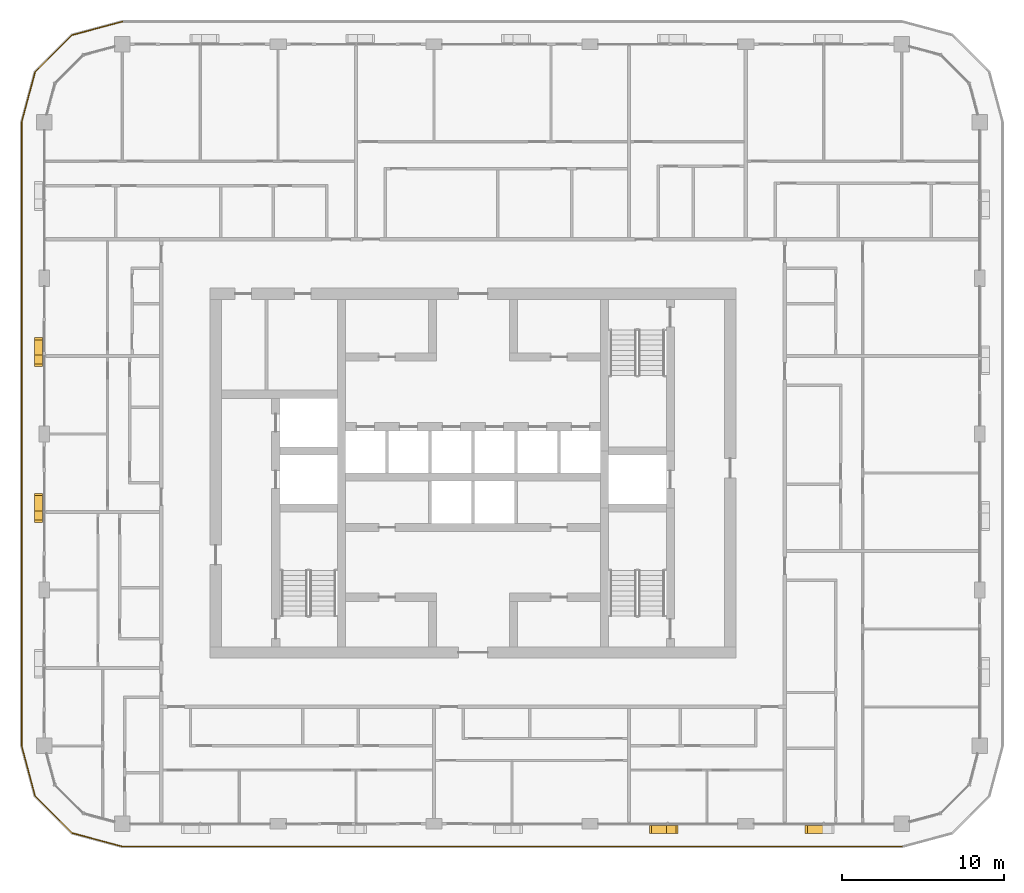
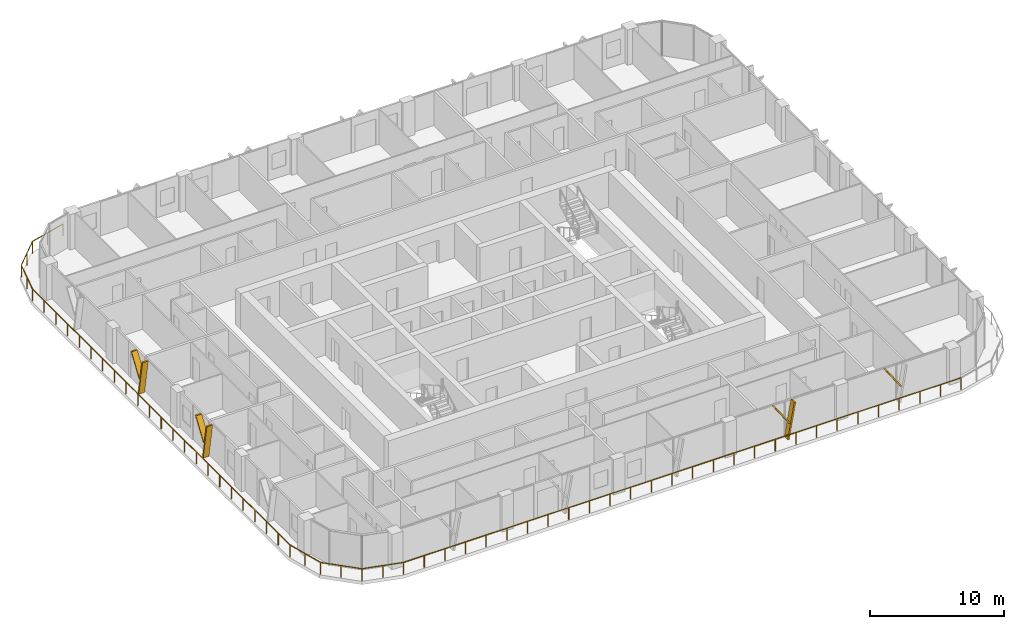
# One storey, part 18 of 22: 7 shading devices, 1 railing.
"""IFC4 building model written with IfcOpenShell, lengths in metres."""

from ifc_helpers import new_model, si_unit, direction, frame, origin, origin_2d, place, context, subcontext, project, spatial, polyline, circle, outline, extrude, material, type_object, element, save


model = new_model("IFC4")

# Units and contexts
model_context = context("Model", 3, precision=1e-05, world=origin(), true_north=direction((0.0, 1.0)))
body_context = subcontext(model_context, "Body", "Model", "MODEL_VIEW")
ifc_project = project(units=[si_unit("LENGTHUNIT", "METRE"), si_unit("AREAUNIT", "SQUARE_METRE"), si_unit("VOLUMEUNIT", "CUBIC_METRE"), si_unit("PLANEANGLEUNIT", "RADIAN"), si_unit("MASSUNIT", "GRAM", prefix="KILO")], contexts=[model_context])

# Site, building, storey
site_placement = place(None, origin())
site = spatial("IfcSite", under=ifc_project, at=site_placement, CompositionType="ELEMENT")
building_placement = place(site_placement, origin())
building = spatial("IfcBuilding", under=site, at=building_placement, Name="Madar Terraces", CompositionType="ELEMENT")
storey_placement = place(building_placement, frame((0.0, 0.0, 208.800048828125)))
storey = spatial("IfcBuildingStorey", under=building, at=storey_placement, Name="L54", CompositionType="ELEMENT", Elevation=208.800048828125)

# Railing
ifc_material_1 = material(Name="Glass, safety glazing, with stainless steel posts", Category="steel")
railing_type = type_object("IfcRailingType", Name="Balcony glass guard 1100", PredefinedType="GUARDRAIL", material=ifc_material_1)
railing_placement = place(storey_placement, frame((9.60009765625, 54.199951171875, 0.0)))
element("IfcRailing", 1, at=railing_placement, inside=storey, type_object=railing_type, Name="Balcony guard", PredefinedType="GUARDRAIL", context=body_context, shape_type="SweptSolid", body=[
    extrude(circle(Radius=0.02392578125, at=origin_2d()), frame((0.0, 0.0, 1.076171875), z_axis=(-0.9659337912, -0.258789317819, 0.0), x_axis=(0.258789317819, -0.9659337912, 0.0)), (0.0, 0.0, 1.0), 3.20947265625),
    extrude(circle(Radius=0.02392578125, at=origin_2d()), frame((-3.10009765625, -0.83056640625, 1.076171875), z_axis=(-0.707106781187, -0.707106781187, 0.0), x_axis=(0.707106781187, -0.707106781187, 0.0)), (0.0, 0.0, 1.0), 3.209228515625),
    extrude(circle(Radius=0.02392578125, at=origin_2d()), frame((-5.369384765625, -3.099853515625, 1.076171875), z_axis=(-0.258860290944, -0.965914773555, 0.0), x_axis=(0.965914773555, -0.258860290944, 0.0)), (0.0, 0.0, 1.0), 3.20947265625),
    extrude(circle(Radius=0.02392578125, at=origin_2d()), frame((-6.2001953125, -6.199951171875, 1.076171875), z_axis=(0.0, -1.0, 0.0), x_axis=(1.0, 0.0, 0.0)), (0.0, 0.0, 1.0), 38.39990234375),
    extrude(circle(Radius=0.02392578125, at=origin_2d()), frame((-6.2001953125, -44.599853515625, 1.076171875), z_axis=(0.258860290944, -0.965914773555, 0.0), x_axis=(0.965914773555, 0.258860290944, 0.0)), (0.0, 0.0, 1.0), 3.20947265625),
    extrude(circle(Radius=0.02392578125, at=origin_2d()), frame((-5.369384765625, -47.699951171875, 1.076171875), z_axis=(0.707106781187, -0.707106781187, 0.0), x_axis=(0.707106781187, 0.707106781187, 0.0)), (0.0, 0.0, 1.0), 3.209228515625),
    extrude(circle(Radius=0.02392578125, at=origin_2d()), frame((-3.10009765625, -49.96923828125, 1.076171875), z_axis=(0.965914773555, -0.258860290944, 0.0), x_axis=(0.258860290944, 0.965914773555, 0.0)), (0.0, 0.0, 1.0), 3.20947265625),
    extrude(circle(Radius=0.02392578125, at=origin_2d()), frame((0.0, -50.800048828125, 1.076171875), z_axis=(1.0, 0.0, 0.0), x_axis=(0.0, 1.0, 0.0)), (0.0, 0.0, 1.0), 48.0),
    extrude(circle(Radius=0.02099609375, at=origin_2d()), origin(), (0.0, 0.0, 1.0), 1.052001953125),
    extrude(circle(Radius=0.02099609375, at=origin_2d()), frame((-1.550048828125, -0.415283203125, 0.0)), (0.0, 0.0, 1.0), 1.052001953125),
    extrude(circle(Radius=0.02099609375, at=origin_2d()), frame((-3.10009765625, -0.83056640625, 0.0)), (0.0, 0.0, 1.0), 1.052001953125),
    extrude(circle(Radius=0.02099609375, at=origin_2d()), frame((-4.23486328125, -1.96533203125, 0.0)), (0.0, 0.0, 1.0), 1.052001953125),
    extrude(circle(Radius=0.02099609375, at=origin_2d()), frame((-5.369384765625, -3.099853515625, 0.0)), (0.0, 0.0, 1.0), 1.052001953125),
    extrude(circle(Radius=0.02099609375, at=origin_2d()), frame((-5.78466796875, -4.64990234375, 0.0)), (0.0, 0.0, 1.0), 1.052001953125),
    extrude(circle(Radius=0.02099609375, at=origin_2d()), frame((-6.2001953125, -6.199951171875, 0.0)), (0.0, 0.0, 1.0), 1.052001953125),
    extrude(circle(Radius=0.02099609375, at=origin_2d()), frame((-6.2001953125, -7.9453125, 0.0)), (0.0, 0.0, 1.0), 1.052001953125),
    extrude(circle(Radius=0.02099609375, at=origin_2d()), frame((-6.2001953125, -9.69091796875, 0.0)), (0.0, 0.0, 1.0), 1.052001953125),
    extrude(circle(Radius=0.02099609375, at=origin_2d()), frame((-6.2001953125, -11.436279296875, 0.0)), (0.0, 0.0, 1.0), 1.052001953125),
    extrude(circle(Radius=0.02099609375, at=origin_2d()), frame((-6.2001953125, -13.181640625, 0.0)), (0.0, 0.0, 1.0), 1.052001953125),
    extrude(circle(Radius=0.02099609375, at=origin_2d()), frame((-6.2001953125, -14.92724609375, 0.0)), (0.0, 0.0, 1.0), 1.052001953125),
    extrude(circle(Radius=0.02099609375, at=origin_2d()), frame((-6.2001953125, -16.672607421875, 0.0)), (0.0, 0.0, 1.0), 1.052001953125),
    extrude(circle(Radius=0.02099609375, at=origin_2d()), frame((-6.2001953125, -18.418212890625, 0.0)), (0.0, 0.0, 1.0), 1.052001953125),
    extrude(circle(Radius=0.02099609375, at=origin_2d()), frame((-6.2001953125, -20.16357421875, 0.0)), (0.0, 0.0, 1.0), 1.052001953125),
    extrude(circle(Radius=0.02099609375, at=origin_2d()), frame((-6.2001953125, -21.908935546875, 0.0)), (0.0, 0.0, 1.0), 1.052001953125),
    extrude(circle(Radius=0.02099609375, at=origin_2d()), frame((-6.2001953125, -23.654541015625, 0.0)), (0.0, 0.0, 1.0), 1.052001953125),
    extrude(circle(Radius=0.02099609375, at=origin_2d()), frame((-6.2001953125, -25.39990234375, 0.0)), (0.0, 0.0, 1.0), 1.052001953125),
    extrude(circle(Radius=0.02099609375, at=origin_2d()), frame((-6.2001953125, -27.145263671875, 0.0)), (0.0, 0.0, 1.0), 1.052001953125),
    extrude(circle(Radius=0.02099609375, at=origin_2d()), frame((-6.2001953125, -28.890869140625, 0.0)), (0.0, 0.0, 1.0), 1.052001953125),
    extrude(circle(Radius=0.02099609375, at=origin_2d()), frame((-6.2001953125, -30.63623046875, 0.0)), (0.0, 0.0, 1.0), 1.052001953125),
    extrude(circle(Radius=0.02099609375, at=origin_2d()), frame((-6.2001953125, -32.381591796875, 0.0)), (0.0, 0.0, 1.0), 1.052001953125),
    extrude(circle(Radius=0.02099609375, at=origin_2d()), frame((-6.2001953125, -34.127197265625, 0.0)), (0.0, 0.0, 1.0), 1.052001953125),
    extrude(circle(Radius=0.02099609375, at=origin_2d()), frame((-6.2001953125, -35.87255859375, 0.0)), (0.0, 0.0, 1.0), 1.052001953125),
    extrude(circle(Radius=0.02099609375, at=origin_2d()), frame((-6.2001953125, -37.6181640625, 0.0)), (0.0, 0.0, 1.0), 1.052001953125),
    extrude(circle(Radius=0.02099609375, at=origin_2d()), frame((-6.2001953125, -39.363525390625, 0.0)), (0.0, 0.0, 1.0), 1.052001953125),
    extrude(circle(Radius=0.02099609375, at=origin_2d()), frame((-6.2001953125, -41.10888671875, 0.0)), (0.0, 0.0, 1.0), 1.052001953125),
    extrude(circle(Radius=0.02099609375, at=origin_2d()), frame((-6.2001953125, -42.8544921875, 0.0)), (0.0, 0.0, 1.0), 1.052001953125),
    extrude(circle(Radius=0.02099609375, at=origin_2d()), frame((-6.2001953125, -44.599853515625, 0.0)), (0.0, 0.0, 1.0), 1.052001953125),
    extrude(circle(Radius=0.02099609375, at=origin_2d()), frame((-5.78466796875, -46.14990234375, 0.0)), (0.0, 0.0, 1.0), 1.052001953125),
    extrude(circle(Radius=0.02099609375, at=origin_2d()), frame((-5.369384765625, -47.699951171875, 0.0)), (0.0, 0.0, 1.0), 1.052001953125),
    extrude(circle(Radius=0.02099609375, at=origin_2d()), frame((-4.23486328125, -48.83447265625, 0.0)), (0.0, 0.0, 1.0), 1.052001953125),
    extrude(circle(Radius=0.02099609375, at=origin_2d()), frame((-3.10009765625, -49.96923828125, 0.0)), (0.0, 0.0, 1.0), 1.052001953125),
    extrude(circle(Radius=0.02099609375, at=origin_2d()), frame((-1.550048828125, -50.384765625, 0.0)), (0.0, 0.0, 1.0), 1.052001953125),
    extrude(circle(Radius=0.02099609375, at=origin_2d()), frame((0.0, -50.800048828125, 0.0)), (0.0, 0.0, 1.0), 1.052001953125),
    extrude(circle(Radius=0.02099609375, at=origin_2d()), frame((1.77783203125, -50.800048828125, 0.0)), (0.0, 0.0, 1.0), 1.052001953125),
    extrude(circle(Radius=0.02099609375, at=origin_2d()), frame((3.5556640625, -50.800048828125, 0.0)), (0.0, 0.0, 1.0), 1.052001953125),
    extrude(circle(Radius=0.02099609375, at=origin_2d()), frame((5.333251953125, -50.800048828125, 0.0)), (0.0, 0.0, 1.0), 1.052001953125),
    extrude(circle(Radius=0.02099609375, at=origin_2d()), frame((7.111083984375, -50.800048828125, 0.0)), (0.0, 0.0, 1.0), 1.052001953125),
    extrude(circle(Radius=0.02099609375, at=origin_2d()), frame((8.888916015625, -50.800048828125, 0.0)), (0.0, 0.0, 1.0), 1.052001953125),
    extrude(circle(Radius=0.02099609375, at=origin_2d()), frame((10.666748046875, -50.800048828125, 0.0)), (0.0, 0.0, 1.0), 1.052001953125),
    extrude(circle(Radius=0.02099609375, at=origin_2d()), frame((12.4443359375, -50.800048828125, 0.0)), (0.0, 0.0, 1.0), 1.052001953125),
    extrude(circle(Radius=0.02099609375, at=origin_2d()), frame((14.22216796875, -50.800048828125, 0.0)), (0.0, 0.0, 1.0), 1.052001953125),
    extrude(circle(Radius=0.02099609375, at=origin_2d()), frame((16.0, -50.800048828125, 0.0)), (0.0, 0.0, 1.0), 1.052001953125),
    extrude(circle(Radius=0.02099609375, at=origin_2d()), frame((17.77783203125, -50.800048828125, 0.0)), (0.0, 0.0, 1.0), 1.052001953125),
    extrude(circle(Radius=0.02099609375, at=origin_2d()), frame((19.5556640625, -50.800048828125, 0.0)), (0.0, 0.0, 1.0), 1.052001953125),
    extrude(circle(Radius=0.02099609375, at=origin_2d()), frame((21.333251953125, -50.800048828125, 0.0)), (0.0, 0.0, 1.0), 1.052001953125),
    extrude(circle(Radius=0.02099609375, at=origin_2d()), frame((23.111083984375, -50.800048828125, 0.0)), (0.0, 0.0, 1.0), 1.052001953125),
    extrude(circle(Radius=0.02099609375, at=origin_2d()), frame((24.888916015625, -50.800048828125, 0.0)), (0.0, 0.0, 1.0), 1.052001953125),
    extrude(circle(Radius=0.02099609375, at=origin_2d()), frame((26.666748046875, -50.800048828125, 0.0)), (0.0, 0.0, 1.0), 1.052001953125),
    extrude(circle(Radius=0.02099609375, at=origin_2d()), frame((28.4443359375, -50.800048828125, 0.0)), (0.0, 0.0, 1.0), 1.052001953125),
    extrude(circle(Radius=0.02099609375, at=origin_2d()), frame((30.22216796875, -50.800048828125, 0.0)), (0.0, 0.0, 1.0), 1.052001953125),
    extrude(circle(Radius=0.02099609375, at=origin_2d()), frame((32.0, -50.800048828125, 0.0)), (0.0, 0.0, 1.0), 1.052001953125),
    extrude(circle(Radius=0.02099609375, at=origin_2d()), frame((33.77783203125, -50.800048828125, 0.0)), (0.0, 0.0, 1.0), 1.052001953125),
    extrude(circle(Radius=0.02099609375, at=origin_2d()), frame((35.5556640625, -50.800048828125, 0.0)), (0.0, 0.0, 1.0), 1.052001953125),
    extrude(circle(Radius=0.02099609375, at=origin_2d()), frame((37.333251953125, -50.800048828125, 0.0)), (0.0, 0.0, 1.0), 1.052001953125),
    extrude(circle(Radius=0.02099609375, at=origin_2d()), frame((39.111083984375, -50.800048828125, 0.0)), (0.0, 0.0, 1.0), 1.052001953125),
    extrude(circle(Radius=0.02099609375, at=origin_2d()), frame((40.888916015625, -50.800048828125, 0.0)), (0.0, 0.0, 1.0), 1.052001953125),
    extrude(circle(Radius=0.02099609375, at=origin_2d()), frame((42.666748046875, -50.800048828125, 0.0)), (0.0, 0.0, 1.0), 1.052001953125),
    extrude(circle(Radius=0.02099609375, at=origin_2d()), frame((44.4443359375, -50.800048828125, 0.0)), (0.0, 0.0, 1.0), 1.052001953125),
    extrude(circle(Radius=0.02099609375, at=origin_2d()), frame((46.22216796875, -50.800048828125, 0.0)), (0.0, 0.0, 1.0), 1.052001953125),
    extrude(circle(Radius=0.02099609375, at=origin_2d()), frame((48.0, -50.800048828125, 0.0)), (0.0, 0.0, 1.0), 1.052001953125),
])

# Shading devices
ifc_material_2 = material(Name="Aluminium, black anodised", Category="aluminium")
shading_device_type = type_object("IfcShadingDeviceType", Name="Facade fin blade 140 x 500", PredefinedType="USERDEFINED", material=ifc_material_2)
shading_device_1_placement = place(storey_placement, frame((43.1298828125, 4.449951171875, 0.0), z_axis=(0.0, 0.0, 1.0), x_axis=(1.0, 0.0, 0.0)))
element("IfcShadingDevice", 2, at=shading_device_1_placement, inside=storey, type_object=shading_device_type, Name="FIN L54 S4", ObjectType="FIN", PredefinedType="USERDEFINED", context=body_context, shape_type="SweptSolid", body=[
    extrude(outline(polyline([(0.0, 0.0), (0.14013671875, 0.0), (0.704345703125, 3.199951171875), (0.564208984375, 3.199951171875), (0.0, 0.0)])), frame((0.0, 0.25, 0.0), z_axis=(0.0, -1.0, 0.0), x_axis=(1.0, 0.0, 0.0)), (0.0, 0.0, 1.0), 0.5),
])
for number, where, z_axis, x_axis, name in (
    (3, (43.243896484375, 4.449951171875, 1.43994140625), (0.0, 0.0, 1.0), (1.0, 0.0, 0.0), "FIN L54 S4 branch"),
    (4, (52.843994140625, 4.449951171875, 1.43994140625), (0.0, 0.0, 1.0), (1.0, 0.0, 0.0), "FIN L54 S5 branch"),
):
    element("IfcShadingDevice", number, at=place(storey_placement, frame(where, z_axis=z_axis, x_axis=x_axis)), inside=storey, type_object=shading_device_type, Name=name, ObjectType="FIN", PredefinedType="USERDEFINED", context=body_context, shape_type="SweptSolid", body=[
        extrude(outline(polyline([(0.0, 0.0), (0.139892578125, 0.0), (-1.049560546875, 1.760009765625), (-1.189697265625, 1.760009765625), (0.0, 0.0)])), frame((0.0, 0.25, 0.0), z_axis=(0.0, -1.0, 0.0), x_axis=(1.0, 0.0, 0.0)), (0.0, 0.0, 1.0), 0.5),
    ])
shading_device_2_placement = place(storey_placement, frame((4.449951171875, 33.669921875, 0.0), z_axis=(0.0, 0.0, 1.0), x_axis=(0.0, -1.0, 0.0)))
element("IfcShadingDevice", 5, at=shading_device_2_placement, inside=storey, type_object=shading_device_type, Name="FIN L54 W2", ObjectType="FIN", PredefinedType="USERDEFINED", context=body_context, shape_type="SweptSolid", body=[
    extrude(outline(polyline([(0.0, 0.0), (0.139892578125, 0.0), (0.704345703125, 3.199951171875), (0.564208984375, 3.199951171875), (0.0, 0.0)])), frame((0.0, 0.25, 0.0), z_axis=(0.0, -1.0, 0.0), x_axis=(1.0, 0.0, 0.0)), (0.0, 0.0, 1.0), 0.5),
])
shading_device_3_placement = place(storey_placement, frame((4.449951171875, 33.55615234375, 1.43994140625), z_axis=(0.0, 0.0, 1.0), x_axis=(0.0, -1.0, 0.0)))
element("IfcShadingDevice", 6, at=shading_device_3_placement, inside=storey, type_object=shading_device_type, Name="FIN L54 W2 branch", ObjectType="FIN", PredefinedType="USERDEFINED", context=body_context, shape_type="SweptSolid", body=[
    extrude(outline(polyline([(0.0, 0.0), (0.14013671875, 0.0), (-1.049560546875, 1.760009765625), (-1.189697265625, 1.760009765625), (0.0, 0.0)])), frame((0.0, 0.25, 0.0), z_axis=(0.0, -1.0, 0.0), x_axis=(1.0, 0.0, 0.0)), (0.0, 0.0, 1.0), 0.5),
])
shading_device_4_placement = place(storey_placement, frame((4.449951171875, 24.070068359375, 0.0), z_axis=(0.0, 0.0, 1.0), x_axis=(0.0, -1.0, 0.0)))
element("IfcShadingDevice", 7, at=shading_device_4_placement, inside=storey, type_object=shading_device_type, Name="FIN L54 W3", ObjectType="FIN", PredefinedType="USERDEFINED", context=body_context, shape_type="SweptSolid", body=[
    extrude(outline(polyline([(0.0, 0.0), (0.14013671875, 0.0), (0.704345703125, 3.199951171875), (0.564208984375, 3.199951171875), (0.0, 0.0)])), frame((0.0, 0.25, 0.0), z_axis=(0.0, -1.0, 0.0), x_axis=(1.0, 0.0, 0.0)), (0.0, 0.0, 1.0), 0.5),
])
shading_device_5_placement = place(storey_placement, frame((4.449951171875, 23.9560546875, 1.43994140625), z_axis=(0.0, 0.0, 1.0), x_axis=(0.0, -1.0, 0.0)))
element("IfcShadingDevice", 8, at=shading_device_5_placement, inside=storey, type_object=shading_device_type, Name="FIN L54 W3 branch", ObjectType="FIN", PredefinedType="USERDEFINED", context=body_context, shape_type="SweptSolid", body=[
    extrude(outline(polyline([(0.0, 0.0), (0.139892578125, 0.0), (-1.049560546875, 1.760009765625), (-1.189697265625, 1.760009765625), (0.0, 0.0)])), frame((0.0, 0.25, 0.0), z_axis=(0.0, -1.0, 0.0), x_axis=(1.0, 0.0, 0.0)), (0.0, 0.0, 1.0), 0.5),
])

save(model, "model.ifc")
